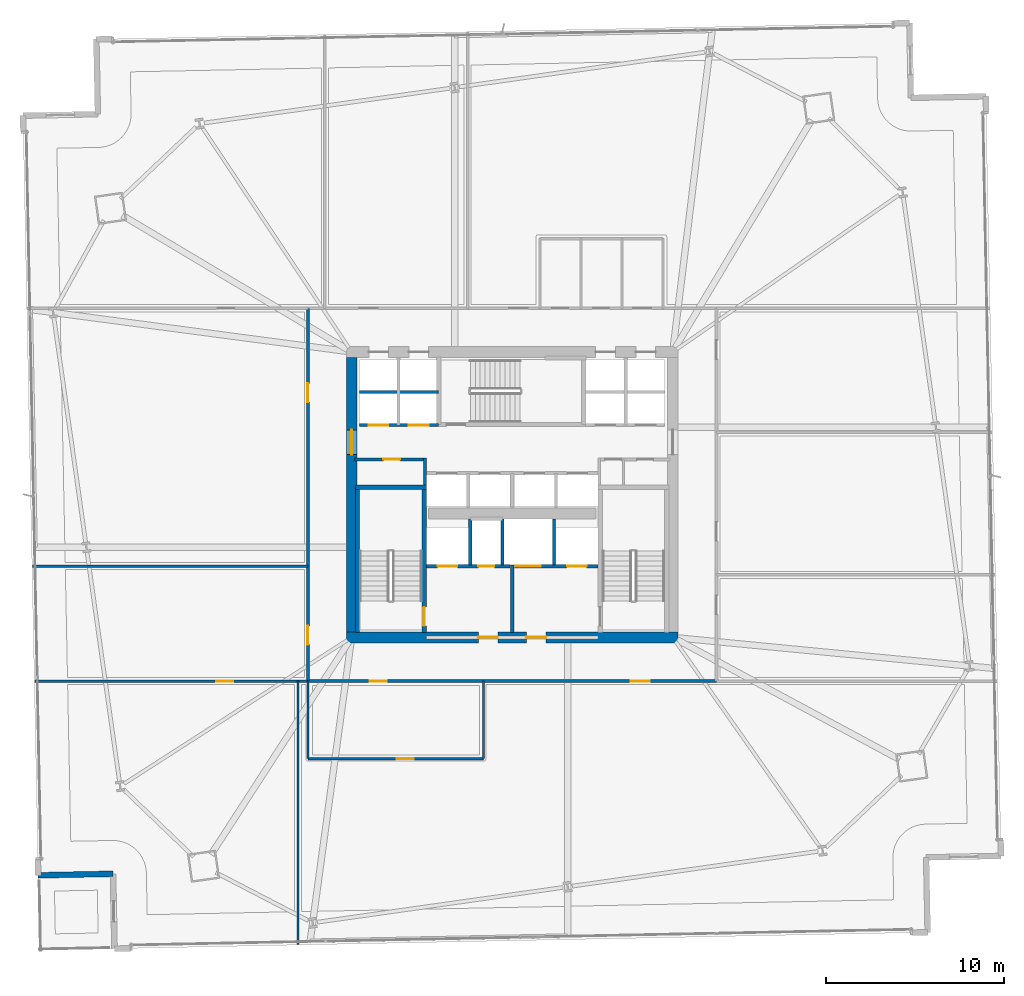
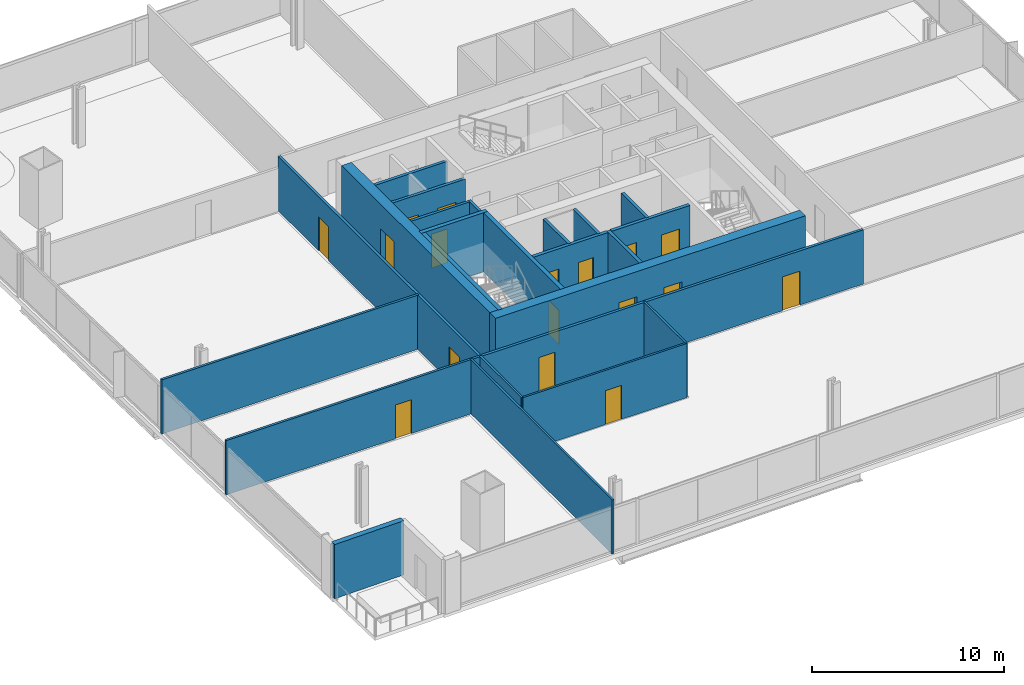
# One storey, part 27 of 35: 24 walls, 17 doors, 17 openings.
"""IFC4 building model written with IfcOpenShell, lengths in metres."""

from ifc_helpers import new_model, si_unit, direction, frame, frame_2d, origin, place, context, subcontext, project, spatial, rectangle, extrude, material, layer, layer_set, type_object, element, fill, save


model = new_model("IFC4")

# Units and contexts
model_context = context("Model", 3, precision=1e-05, world=origin(), true_north=direction((0.0, 1.0)))
body_context = subcontext(model_context, "Body", "Model", "MODEL_VIEW")
ifc_project = project(units=[si_unit("LENGTHUNIT", "METRE"), si_unit("AREAUNIT", "SQUARE_METRE"), si_unit("VOLUMEUNIT", "CUBIC_METRE"), si_unit("PLANEANGLEUNIT", "RADIAN"), si_unit("MASSUNIT", "GRAM", prefix="KILO")], contexts=[model_context])

# Site, building, storey
site_placement = place(None, origin())
site = spatial("IfcSite", under=ifc_project, at=site_placement, CompositionType="ELEMENT")
building_placement = place(site_placement, origin())
building = spatial("IfcBuilding", under=site, at=building_placement, Name="Haldenkirk Collegiate Tower", CompositionType="ELEMENT")
storey_placement = place(building_placement, frame((0.0, 0.0, 32.699951171875)))
storey = spatial("IfcBuildingStorey", under=building, at=storey_placement, Name="L06", CompositionType="ELEMENT", Elevation=32.699951171875)

# Wall, openings, doors
ifc_material_1 = material(Name="Concrete f'c 70 MPa", Category="concrete")
ifc_layer_1 = layer(ifc_material_1, 0.60009765625)
ifc_layer_set_1 = layer_set([ifc_layer_1], Name="Concrete f'c 70 MPa")
wall_type_1 = type_object("IfcWallType", Name="WL-CORE-600", PredefinedType="SHEAR", material=ifc_layer_set_1)
wall_1_placement = place(storey_placement, frame((26.699951171875, 18.0, 0.0), z_axis=(0.0, 0.0, 1.0), x_axis=(1.0, 0.0, 0.0)))
wall_1 = element("IfcWall", 1, at=wall_1_placement, inside=storey, type_object=wall_type_1, Name="L06 central core shear wall S", PredefinedType="SHEAR", context=body_context, shape_type="SweptSolid", body=[
    extrude(rectangle(XDim=18.60009765625, YDim=0.60009765625, at=frame_2d((9.300048828125, 0.0))), origin(), (0.0, 0.0, 1.0), 3.75),
])
opening_1_placement = place(wall_1_placement, frame((7.39990234375, 0.0, 0.0)))
opening_1 = element("IfcOpeningElement", 2, at=opening_1_placement, cuts=wall_1, Name="Opening D-02", PredefinedType="OPENING", context=body_context, shape_type="SweptSolid", body=[
    extrude(rectangle(XDim=1.10009765625, YDim=2.14990234375, at=frame_2d((0.550048828125, 1.074951171875))), frame((0.0, 0.31005859375, 0.0), z_axis=(0.0, -1.0, 0.0), x_axis=(1.0, 0.0, 0.0)), (0.0, 0.0, 1.0), 0.6201171875),
])
opening_2_placement = place(wall_1_placement, frame((10.10009765625, 0.0, 0.0)))
opening_2 = element("IfcOpeningElement", 3, at=opening_2_placement, cuts=wall_1, Name="Opening D-02", PredefinedType="OPENING", context=body_context, shape_type="SweptSolid", body=[
    extrude(rectangle(XDim=1.10009765625, YDim=2.14990234375, at=frame_2d((0.550048828125, 1.074951171875))), frame((0.0, 0.31005859375, 0.0), z_axis=(0.0, -1.0, 0.0), x_axis=(1.0, 0.0, 0.0)), (0.0, 0.0, 1.0), 0.6201171875),
])
ifc_material_2 = material(Name="Galvanized fire-rated hollow steel door", Category="steel")
ifc_layer_2 = layer(ifc_material_2, 0.06005859375)
ifc_layer_set_2 = layer_set([ifc_layer_2], Name="Galvanized fire-rated hollow steel door")
door_type_1 = type_object("IfcDoorType", Name="DR-STAIR-FD90-1100", OperationType="NOTDEFINED", PredefinedType="DOOR", material=ifc_layer_set_2)
door_1_placement = place(opening_1_placement, origin())
door_1 = element("IfcDoor", 4, at=door_1_placement, inside=storey, type_object=door_type_1, Name="L06 Firefighting Lobby 1 door", OperationType="SINGLE_SWING_LEFT", OverallHeight=2.14990234375, OverallWidth=1.10009765625, PredefinedType="DOOR", context=body_context, shape_type="SweptSolid", body=[
    extrude(rectangle(XDim=1.10009765625, YDim=2.14990234375, at=frame_2d((0.550048828125, 1.074951171875))), frame((0.0, 0.02490234375, 0.0), z_axis=(0.0, -1.0, 0.0), x_axis=(1.0, 0.0, 0.0)), (0.0, 0.0, 1.0), 0.050048828125),
])
fill(opening_1, door_1)
door_2_placement = place(opening_2_placement, origin())
door_2 = element("IfcDoor", 5, at=door_2_placement, inside=storey, type_object=door_type_1, Name="L06 Firefighting Lobby 2 door", OperationType="SINGLE_SWING_RIGHT", OverallHeight=2.14990234375, OverallWidth=1.10009765625, PredefinedType="DOOR", context=body_context, shape_type="SweptSolid", body=[
    extrude(rectangle(XDim=1.10009765625, YDim=2.14990234375, at=frame_2d((0.550048828125, 1.074951171875))), frame((0.0, 0.02490234375, 0.0), z_axis=(0.0, -1.0, 0.0), x_axis=(1.0, 0.0, 0.0)), (0.0, 0.0, 1.0), 0.050048828125),
])
fill(opening_2, door_2)

# Wall, opening, door
wall_2_placement = place(storey_placement, frame((27.0, 18.300048828125, 0.0), z_axis=(0.0, 0.0, 1.0), x_axis=(0.0, 1.0, 0.0)))
wall_2 = element("IfcWall", 6, at=wall_2_placement, inside=storey, type_object=wall_type_1, Name="L06 central core shear wall W", PredefinedType="SHEAR", context=body_context, shape_type="SweptSolid", body=[
    extrude(rectangle(XDim=15.39990234375, YDim=0.60009765625, at=frame_2d((7.699951171875, 0.0))), origin(), (0.0, 0.0, 1.0), 3.75),
])
opening_3_placement = place(wall_2_placement, frame((9.93994140625, 0.0, 0.0)))
opening_3 = element("IfcOpeningElement", 7, at=opening_3_placement, cuts=wall_2, Name="Opening D-03", PredefinedType="OPENING", context=body_context, shape_type="SweptSolid", body=[
    extrude(rectangle(XDim=1.39990234375, YDim=2.199951171875, at=frame_2d((0.699951171875, 1.10009765625))), frame((0.0, 0.31005859375, 0.0), z_axis=(0.0, -1.0, 0.0), x_axis=(1.0, 0.0, 0.0)), (0.0, 0.0, 1.0), 0.6201171875),
])
ifc_layer_3 = layer(ifc_material_2, 0.06005859375)
ifc_layer_set_3 = layer_set([ifc_layer_3], Name="Galvanized fire-rated hollow steel door")
door_type_2 = type_object("IfcDoorType", Name="DR-LOBBY-FD90-1400", OperationType="NOTDEFINED", PredefinedType="DOOR", material=ifc_layer_set_3)
door_3_placement = place(opening_3_placement, origin())
door_3 = element("IfcDoor", 8, at=door_3_placement, inside=storey, type_object=door_type_2, Name="L06 west lift lobby portal", OperationType="DOUBLE_DOOR_SINGLE_SWING", OverallHeight=2.199951171875, OverallWidth=1.39990234375, PredefinedType="DOOR", context=body_context, shape_type="SweptSolid", body=[
    extrude(rectangle(XDim=1.39990234375, YDim=2.199951171875, at=frame_2d((0.699951171875, 1.10009765625))), frame((0.0, 0.02490234375, 0.0), z_axis=(0.0, -1.0, 0.0), x_axis=(1.0, 0.0, 0.0)), (0.0, 0.0, 1.0), 0.050048828125),
])
fill(opening_3, door_3)

# Wall
ifc_material_3 = material(Name="Precast concrete f'c 40 MPa", Category="concrete")
ifc_layer_4 = layer(ifc_material_3, 0.320068359375)
ifc_layer_set_4 = layer_set([ifc_layer_4], Name="Precast concrete f'c 40 MPa")
wall_type_2 = type_object("IfcWallType", Name="WL-EXT-TWR-320", PredefinedType="STANDARD", material=ifc_layer_set_4)
wall_3_placement = place(storey_placement, frame((13.6220703125, 4.74658203125, 0.0), z_axis=(0.0, 0.0, 1.0), x_axis=(-0.9997988962, -0.020054105767, 0.0)))
element("IfcWall", 9, at=wall_3_placement, inside=storey, type_object=wall_type_2, Name="L06 bronze precast notch wall 11", PredefinedType="STANDARD", context=body_context, shape_type="SweptSolid", body=[
    extrude(rectangle(XDim=4.199951171875, YDim=0.320068359375, at=frame_2d((2.10009765625, 0.0))), origin(), (0.0, 0.0, 1.0), 3.43994140625),
])

# Wall, opening, door
ifc_material_4 = material(Name="Acoustic fire-rated gypsum partition", Category="concrete")
ifc_layer_5 = layer(ifc_material_4, 0.159912109375)
ifc_layer_set_5 = layer_set([ifc_layer_5], Name="Acoustic fire-rated gypsum partition")
wall_type_3 = type_object("IfcWallType", Name="WL-INT-CORR-160", PredefinedType="PARTITIONING", material=ifc_layer_set_5)
wall_4_placement = place(storey_placement, frame((27.14990234375, 27.97998046875, 0.0), z_axis=(0.0, 0.0, 1.0), x_axis=(1.0, 0.0, 0.0)))
wall_4 = element("IfcWall", 10, at=wall_4_placement, inside=storey, type_object=wall_type_3, Name="L06 interior partition IW-L06-VCSW-N", PredefinedType="PARTITIONING", context=body_context, shape_type="SweptSolid", body=[
    extrude(rectangle(XDim=4.050048828125, YDim=0.159912109375, at=frame_2d((2.02490234375, 0.0))), origin(), (0.0, 0.0, 1.0), 3.43994140625),
])
opening_4_placement = place(wall_4_placement, frame((1.625, 0.0, 0.0)))
opening_4 = element("IfcOpeningElement", 11, at=opening_4_placement, cuts=wall_4, Name="Opening D-10", PredefinedType="OPENING", context=body_context, shape_type="SweptSolid", body=[
    extrude(rectangle(XDim=0.949951171875, YDim=2.14990234375, at=frame_2d((0.47509765625, 1.074951171875))), frame((0.0, 0.08984375, 0.0), z_axis=(0.0, -1.0, 0.0), x_axis=(1.0, 0.0, 0.0)), (0.0, 0.0, 1.0), 0.179931640625),
])
ifc_material_5 = material(Name="Solid-core architectural oak fire door", Category="wood")
ifc_layer_6 = layer(ifc_material_5, 0.06005859375)
ifc_layer_set_6 = layer_set([ifc_layer_6], Name="Solid-core architectural oak fire door")
door_type_3 = type_object("IfcDoorType", Name="DR-INT-FD60-950", OperationType="NOTDEFINED", PredefinedType="DOOR", material=ifc_layer_set_6)
door_4_placement = place(opening_4_placement, origin())
door_4 = element("IfcDoor", 12, at=door_4_placement, inside=storey, type_object=door_type_3, Name="L06 core tea pantry door", OperationType="SINGLE_SWING_LEFT", OverallHeight=2.14990234375, OverallWidth=0.949951171875, PredefinedType="DOOR", context=body_context, shape_type="SweptSolid", body=[
    extrude(rectangle(XDim=0.949951171875, YDim=2.14990234375, at=frame_2d((0.47509765625, 1.074951171875))), frame((0.0, 0.02490234375, 0.0), z_axis=(0.0, -1.0, 0.0), x_axis=(1.0, 0.0, 0.0)), (0.0, 0.0, 1.0), 0.050048828125),
])
fill(opening_4, door_4)

# Wall
wall_5_placement = place(storey_placement, frame((31.1201171875, 26.5400390625, 0.0), z_axis=(0.0, 0.0, 1.0), x_axis=(0.0, 1.0, 0.0)))
element("IfcWall", 13, at=wall_5_placement, inside=storey, type_object=wall_type_3, Name="L06 interior partition IW-L06-VCSW-E", PredefinedType="PARTITIONING", context=body_context, shape_type="SweptSolid", body=[
    extrude(rectangle(XDim=1.510009765625, YDim=0.159912109375, at=frame_2d((0.7548828125, 0.0))), origin(), (0.0, 0.0, 1.0), 3.43994140625),
])

# Wall, openings, doors
wall_6_placement = place(storey_placement, frame((24.5, 15.550048828125, 0.0), z_axis=(0.0, 0.0, 1.0), x_axis=(1.0, 0.0, 0.0)))
wall_6 = element("IfcWall", 14, at=wall_6_placement, inside=storey, type_object=wall_type_3, Name="L06 interior partition IW-L06-CS", PredefinedType="PARTITIONING", context=body_context, shape_type="SweptSolid", body=[
    extrude(rectangle(XDim=23.0, YDim=0.159912109375, at=frame_2d((11.5, 0.0))), origin(), (0.0, 0.0, 1.0), 3.43994140625),
])
opening_5_placement = place(wall_6_placement, frame((3.52490234375, 0.0, 0.0)))
opening_5 = element("IfcOpeningElement", 15, at=opening_5_placement, cuts=wall_6, Name="Opening D-10", PredefinedType="OPENING", context=body_context, shape_type="SweptSolid", body=[
    extrude(rectangle(XDim=0.949951171875, YDim=2.14990234375, at=frame_2d((0.47509765625, 1.074951171875))), frame((0.0, 0.08984375, 0.0), z_axis=(0.0, -1.0, 0.0), x_axis=(1.0, 0.0, 0.0)), (0.0, 0.0, 1.0), 0.179931640625),
])
opening_6_placement = place(wall_6_placement, frame((18.15087890625, 0.0, 0.0)))
opening_6 = element("IfcOpeningElement", 16, at=opening_6_placement, cuts=wall_6, Name="Opening D-09", PredefinedType="OPENING", context=body_context, shape_type="SweptSolid", body=[
    extrude(rectangle(XDim=1.050048828125, YDim=2.14990234375, at=frame_2d((0.52490234375, 1.074951171875))), frame((0.0, 0.08984375, 0.0), z_axis=(0.0, -1.0, 0.0), x_axis=(1.0, 0.0, 0.0)), (0.0, 0.0, 1.0), 0.179931640625),
])
ifc_layer_7 = layer(ifc_material_5, 0.06005859375)
ifc_layer_set_7 = layer_set([ifc_layer_7], Name="Solid-core architectural oak fire door")
door_type_4 = type_object("IfcDoorType", Name="DR-INT-FD60-1050", OperationType="NOTDEFINED", PredefinedType="DOOR", material=ifc_layer_set_7)
door_5_placement = place(opening_6_placement, origin())
door_5 = element("IfcDoor", 17, at=door_5_placement, inside=storey, type_object=door_type_4, Name="L06 Senior Fellow Office 2 door", OperationType="SINGLE_SWING_RIGHT", OverallHeight=2.14990234375, OverallWidth=1.050048828125, PredefinedType="DOOR", context=body_context, shape_type="SweptSolid", body=[
    extrude(rectangle(XDim=1.050048828125, YDim=2.14990234375, at=frame_2d((0.52490234375, 1.074951171875))), frame((0.0, 0.02490234375, 0.0), z_axis=(0.0, -1.0, 0.0), x_axis=(1.0, 0.0, 0.0)), (0.0, 0.0, 1.0), 0.050048828125),
])
fill(opening_6, door_5)
door_6_placement = place(opening_5_placement, origin())
door_6 = element("IfcDoor", 18, at=door_6_placement, inside=storey, type_object=door_type_3, Name="L06 Inner Research Focus Room corridor door", OperationType="SINGLE_SWING_LEFT", OverallHeight=2.14990234375, OverallWidth=0.949951171875, PredefinedType="DOOR", context=body_context, shape_type="SweptSolid", body=[
    extrude(rectangle(XDim=0.949951171875, YDim=2.14990234375, at=frame_2d((0.47509765625, 1.074951171875))), frame((0.0, 0.02490234375, 0.0), z_axis=(0.0, -1.0, 0.0), x_axis=(1.0, 0.0, 0.0)), (0.0, 0.0, 1.0), 0.050048828125),
])
fill(opening_5, door_6)

wall_7_placement = place(storey_placement, frame((24.550048828125, 15.550048828125, 0.0), z_axis=(0.0, 0.0, 1.0), x_axis=(0.0, 1.0, 0.0)))
wall_7 = element("IfcWall", 19, at=wall_7_placement, inside=storey, type_object=wall_type_3, Name="L06 interior partition IW-L06-CW", PredefinedType="PARTITIONING", context=body_context, shape_type="SweptSolid", body=[
    extrude(rectangle(XDim=20.89990234375, YDim=0.159912109375, at=frame_2d((10.449951171875, 0.0))), origin(), (0.0, 0.0, 1.0), 3.43994140625),
])
opening_7_placement = place(wall_7_placement, frame((2.052001953125, 0.0, 0.0)))
opening_7 = element("IfcOpeningElement", 20, at=opening_7_placement, cuts=wall_7, Name="Opening D-09", PredefinedType="OPENING", context=body_context, shape_type="SweptSolid", body=[
    extrude(rectangle(XDim=1.050048828125, YDim=2.14990234375, at=frame_2d((0.52490234375, 1.074951171875))), frame((0.0, 0.08984375, 0.0), z_axis=(0.0, -1.0, 0.0), x_axis=(1.0, 0.0, 0.0)), (0.0, 0.0, 1.0), 0.179931640625),
])
opening_8_placement = place(wall_7_placement, frame((15.64501953125, 0.0, 0.0)))
opening_8 = element("IfcOpeningElement", 21, at=opening_8_placement, cuts=wall_7, Name="Opening D-09", PredefinedType="OPENING", context=body_context, shape_type="SweptSolid", body=[
    extrude(rectangle(XDim=1.050048828125, YDim=2.14990234375, at=frame_2d((0.52490234375, 1.074951171875))), frame((0.0, 0.08984375, 0.0), z_axis=(0.0, -1.0, 0.0), x_axis=(1.0, 0.0, 0.0)), (0.0, 0.0, 1.0), 0.179931640625),
])
door_7_placement = place(opening_7_placement, origin())
door_7 = element("IfcDoor", 22, at=door_7_placement, inside=storey, type_object=door_type_4, Name="L06 Curator Office 6 door", OperationType="SINGLE_SWING_RIGHT", OverallHeight=2.14990234375, OverallWidth=1.050048828125, PredefinedType="DOOR", context=body_context, shape_type="SweptSolid", body=[
    extrude(rectangle(XDim=1.050048828125, YDim=2.14990234375, at=frame_2d((0.52490234375, 1.074951171875))), frame((0.0, 0.02490234375, 0.0), z_axis=(0.0, -1.0, 0.0), x_axis=(1.0, 0.0, 0.0)), (0.0, 0.0, 1.0), 0.050048828125),
])
fill(opening_7, door_7)
door_8_placement = place(opening_8_placement, origin())
door_8 = element("IfcDoor", 23, at=door_8_placement, inside=storey, type_object=door_type_4, Name="L06 Faculty Office 7 door", OperationType="SINGLE_SWING_LEFT", OverallHeight=2.14990234375, OverallWidth=1.050048828125, PredefinedType="DOOR", context=body_context, shape_type="SweptSolid", body=[
    extrude(rectangle(XDim=1.050048828125, YDim=2.14990234375, at=frame_2d((0.52490234375, 1.074951171875))), frame((0.0, 0.02490234375, 0.0), z_axis=(0.0, -1.0, 0.0), x_axis=(1.0, 0.0, 0.0)), (0.0, 0.0, 1.0), 0.050048828125),
])
fill(opening_8, door_8)

# Wall, opening, door
ifc_layer_8 = layer(ifc_material_4, 0.139892578125)
ifc_layer_set_8 = layer_set([ifc_layer_8], Name="Acoustic fire-rated gypsum partition")
wall_type_4 = type_object("IfcWallType", Name="WL-INT-DIV-140", PredefinedType="PARTITIONING", material=ifc_layer_set_8)
wall_8_placement = place(storey_placement, frame((9.244384765625, 15.550048828125, 0.0), z_axis=(0.0, 0.0, 1.0), x_axis=(1.0, 0.0, 0.0)))
wall_8 = element("IfcWall", 24, at=wall_8_placement, inside=storey, type_object=wall_type_4, Name="L06 interior partition IW-L06-BWS", PredefinedType="PARTITIONING", context=body_context, shape_type="SweptSolid", body=[
    extrude(rectangle(XDim=15.3056640625, YDim=0.139892578125, at=frame_2d((7.65283203125, 0.0))), origin(), (0.0, 0.0, 1.0), 3.43994140625),
])
opening_9_placement = place(wall_8_placement, frame((10.1748046875, 0.0, 0.0)))
opening_9 = element("IfcOpeningElement", 25, at=opening_9_placement, cuts=wall_8, Name="Opening D-12", PredefinedType="OPENING", context=body_context, shape_type="SweptSolid", body=[
    extrude(rectangle(XDim=0.949951171875, YDim=2.14990234375, at=frame_2d((0.47509765625, 1.074951171875))), frame((0.0, 0.079833984375, 0.0), z_axis=(0.0, -1.0, 0.0), x_axis=(1.0, 0.0, 0.0)), (0.0, 0.0, 1.0), 0.159912109375),
])
ifc_layer_9 = layer(ifc_material_5, 0.06005859375)
ifc_layer_set_9 = layer_set([ifc_layer_9], Name="Solid-core architectural oak fire door")
door_type_5 = type_object("IfcDoorType", Name="DR-INT-STD-950", OperationType="NOTDEFINED", PredefinedType="DOOR", material=ifc_layer_set_9)
door_9_placement = place(opening_9_placement, origin())
door_9 = element("IfcDoor", 26, at=door_9_placement, inside=storey, type_object=door_type_5, Name="L06 Faculty Office 1 door", OperationType="SINGLE_SWING_LEFT", OverallHeight=2.14990234375, OverallWidth=0.949951171875, PredefinedType="DOOR", context=body_context, shape_type="SweptSolid", body=[
    extrude(rectangle(XDim=0.949951171875, YDim=2.14990234375, at=frame_2d((0.47509765625, 1.074951171875))), frame((0.0, 0.02490234375, 0.0), z_axis=(0.0, -1.0, 0.0), x_axis=(1.0, 0.0, 0.0)), (0.0, 0.0, 1.0), 0.050048828125),
])
fill(opening_9, door_9)

# Walls
wall_9_placement = place(storey_placement, frame((9.114990234375, 22.0, 0.0), z_axis=(0.0, 0.0, 1.0), x_axis=(1.0, 0.0, 0.0)))
element("IfcWall", 27, at=wall_9_placement, inside=storey, type_object=wall_type_4, Name="L06 interior partition IW-L06-RW1", PredefinedType="PARTITIONING", context=body_context, shape_type="SweptSolid", body=[
    extrude(rectangle(XDim=15.43505859375, YDim=0.139892578125, at=frame_2d((7.717529296875, 0.0))), origin(), (0.0, 0.0, 1.0), 3.43994140625),
])
ifc_material_6 = material(Name="Fire-rated gypsum shaftboard assembly", Category="concrete")
ifc_layer_10 = layer(ifc_material_6, 0.179931640625)
ifc_layer_set_10 = layer_set([ifc_layer_10], Name="Fire-rated gypsum shaftboard assembly")
wall_type_5 = type_object("IfcWallType", Name="WL-INT-SHAFT-180", PredefinedType="PARTITIONING", material=ifc_layer_set_10)
for number, where, z_axis, x_axis, name in (
    (28, (33.64990234375, 22.050048828125, 0.0), (0.0, 0.0, 1.0), (0.0, 1.0, 0.0), "L06 interior partition IW-L06-FL1E"),
    (29, (35.449951171875, 22.050048828125, 0.0), (0.0, 0.0, 1.0), (0.0, 1.0, 0.0), "L06 interior partition IW-L06-GL1W"),
    (30, (38.35009765625, 22.050048828125, 0.0), (0.0, 0.0, 1.0), (0.0, 1.0, 0.0), "L06 interior partition IW-L06-GL1E"),
):
    element("IfcWall", number, at=place(storey_placement, frame(where, z_axis=z_axis, x_axis=x_axis)), inside=storey, type_object=wall_type_5, Name=name, PredefinedType="PARTITIONING", context=body_context, shape_type="SweptSolid", body=[
        extrude(rectangle(XDim=2.599853515625, YDim=0.179931640625, at=frame_2d((1.2998046875, 0.0))), origin(), (0.0, 0.0, 1.0), 3.43994140625),
    ])

# Wall, openings, doors
wall_10_placement = place(storey_placement, frame((27.449951171875, 29.89990234375, 0.0), z_axis=(0.0, 0.0, 1.0), x_axis=(1.0, 0.0, 0.0)))
wall_10 = element("IfcWall", 31, at=wall_10_placement, inside=storey, type_object=wall_type_5, Name="L06 interior partition IW-L06-PLS", PredefinedType="PARTITIONING", context=body_context, shape_type="SweptSolid", body=[
    extrude(rectangle(XDim=4.429931640625, YDim=0.179931640625, at=frame_2d((2.21484375, 0.0))), origin(), (0.0, 0.0, 1.0), 3.43994140625),
])
opening_10_placement = place(wall_10_placement, frame((0.514892578125, 0.0, 0.0)))
opening_10 = element("IfcOpeningElement", 32, at=opening_10_placement, cuts=wall_10, Name="Opening LD-11", PredefinedType="OPENING", context=body_context, shape_type="SweptSolid", body=[
    extrude(rectangle(XDim=1.10009765625, YDim=2.14990234375, at=frame_2d((0.550048828125, 1.074951171875))), frame((0.0, 0.099853515625, 0.0), z_axis=(0.0, -1.0, 0.0), x_axis=(1.0, 0.0, 0.0)), (0.0, 0.0, 1.0), 0.199951171875),
])
opening_11_placement = place(wall_10_placement, frame((2.764892578125, 0.0, 0.0)))
opening_11 = element("IfcOpeningElement", 33, at=opening_11_placement, cuts=wall_10, Name="Opening LD-11", PredefinedType="OPENING", context=body_context, shape_type="SweptSolid", body=[
    extrude(rectangle(XDim=1.10009765625, YDim=2.14990234375, at=frame_2d((0.550048828125, 1.074951171875))), frame((0.0, 0.099853515625, 0.0), z_axis=(0.0, -1.0, 0.0), x_axis=(1.0, 0.0, 0.0)), (0.0, 0.0, 1.0), 0.199951171875),
])
ifc_material_7 = material(Name="Brushed architectural stainless steel", Category="steel")
ifc_layer_11 = layer(ifc_material_7, 0.06005859375)
ifc_layer_set_11 = layer_set([ifc_layer_11], Name="Brushed architectural stainless steel")
door_type_6 = type_object("IfcDoorType", Name="LD-PASS-1100", OperationType="NOTDEFINED", PredefinedType="DOOR", material=ifc_layer_set_11)
door_10_placement = place(opening_10_placement, origin())
door_10 = element("IfcDoor", 34, at=door_10_placement, inside=storey, type_object=door_type_6, Name="L06 Elevator PL1 sliding landing door", OperationType="SLIDING_TO_LEFT", OverallHeight=2.14990234375, OverallWidth=1.10009765625, PredefinedType="DOOR", context=body_context, shape_type="SweptSolid", body=[
    extrude(rectangle(XDim=1.10009765625, YDim=2.14990234375, at=frame_2d((0.550048828125, 1.074951171875))), frame((0.0, 0.02490234375, 0.0), z_axis=(0.0, -1.0, 0.0), x_axis=(1.0, 0.0, 0.0)), (0.0, 0.0, 1.0), 0.050048828125),
])
fill(opening_10, door_10)
door_11_placement = place(opening_11_placement, origin())
door_11 = element("IfcDoor", 35, at=door_11_placement, inside=storey, type_object=door_type_6, Name="L06 Elevator PL2 sliding landing door", OperationType="SLIDING_TO_LEFT", OverallHeight=2.14990234375, OverallWidth=1.10009765625, PredefinedType="DOOR", context=body_context, shape_type="SweptSolid", body=[
    extrude(rectangle(XDim=1.10009765625, YDim=2.14990234375, at=frame_2d((0.550048828125, 1.074951171875))), frame((0.0, 0.02490234375, 0.0), z_axis=(0.0, -1.0, 0.0), x_axis=(1.0, 0.0, 0.0)), (0.0, 0.0, 1.0), 0.050048828125),
])
fill(opening_11, door_11)

# Walls
wall_11_placement = place(storey_placement, frame((27.449951171875, 31.75, 0.0), z_axis=(0.0, 0.0, 1.0), x_axis=(1.0, 0.0, 0.0)))
element("IfcWall", 36, at=wall_11_placement, inside=storey, type_object=wall_type_5, Name="L06 interior partition IW-L06-PLM", PredefinedType="PARTITIONING", context=body_context, shape_type="SweptSolid", body=[
    extrude(rectangle(XDim=4.429931640625, YDim=0.179931640625, at=frame_2d((2.21484375, 0.0))), origin(), (0.0, 0.0, 1.0), 3.43994140625),
])
ifc_layer_12 = layer(ifc_material_6, 0.199951171875)
ifc_layer_set_12 = layer_set([ifc_layer_12], Name="Fire-rated gypsum shaftboard assembly")
wall_type_6 = type_object("IfcWallType", Name="WL-INT-SHAFT-200", PredefinedType="PARTITIONING", material=ifc_layer_set_12)
wall_12_placement = place(storey_placement, frame((36.0, 18.280029296875, 0.0), z_axis=(0.0, 0.0, 1.0), x_axis=(0.0, 1.0, 0.0)))
element("IfcWall", 37, at=wall_12_placement, inside=storey, type_object=wall_type_6, Name="L06 interior partition IW-L06-FFLM", PredefinedType="PARTITIONING", context=body_context, shape_type="SweptSolid", body=[
    extrude(rectangle(XDim=3.77001953125, YDim=0.199951171875, at=frame_2d((1.885009765625, 0.0))), origin(), (0.0, 0.0, 1.0), 3.43994140625),
])

# Wall, openings, doors
wall_13_placement = place(storey_placement, frame((31.18994140625, 22.0, 0.0), z_axis=(0.0, 0.0, 1.0), x_axis=(1.0, 0.0, 0.0)))
wall_13 = element("IfcWall", 38, at=wall_13_placement, inside=storey, type_object=wall_type_6, Name="L06 interior partition IW-L06-FFL1N", PredefinedType="PARTITIONING", context=body_context, shape_type="SweptSolid", body=[
    extrude(rectangle(XDim=4.68994140625, YDim=0.199951171875, at=frame_2d((2.344970703125, 0.0))), origin(), (0.0, 0.0, 1.0), 3.43994140625),
])
opening_12_placement = place(wall_13_placement, frame((2.909912109375, 0.0, 0.0)))
opening_12 = element("IfcOpeningElement", 39, at=opening_12_placement, cuts=wall_13, Name="Opening D-06", PredefinedType="OPENING", context=body_context, shape_type="SweptSolid", body=[
    extrude(rectangle(XDim=0.89990234375, YDim=2.14990234375, at=frame_2d((0.449951171875, 1.074951171875))), frame((0.0, 0.10986328125, 0.0), z_axis=(0.0, -1.0, 0.0), x_axis=(1.0, 0.0, 0.0)), (0.0, 0.0, 1.0), 0.219970703125),
])
opening_13_placement = place(wall_13_placement, frame((0.635009765625, 0.0, 0.0)))
opening_13 = element("IfcOpeningElement", 40, at=opening_13_placement, cuts=wall_13, Name="Opening LD-12", PredefinedType="OPENING", context=body_context, shape_type="SweptSolid", body=[
    extrude(rectangle(XDim=1.10009765625, YDim=2.14990234375, at=frame_2d((0.550048828125, 1.074951171875))), frame((0.0, 0.10986328125, 0.0), z_axis=(0.0, -1.0, 0.0), x_axis=(1.0, 0.0, 0.0)), (0.0, 0.0, 1.0), 0.219970703125),
])
ifc_layer_13 = layer(ifc_material_2, 0.06005859375)
ifc_layer_set_13 = layer_set([ifc_layer_13], Name="Galvanized fire-rated hollow steel door")
door_type_7 = type_object("IfcDoorType", Name="DR-INT-FD90-900", OperationType="NOTDEFINED", PredefinedType="DOOR", material=ifc_layer_set_13)
door_12_placement = place(opening_12_placement, origin())
door_12 = element("IfcDoor", 41, at=door_12_placement, inside=storey, type_object=door_type_7, Name="L06 electrical riser door", OperationType="SINGLE_SWING_LEFT", OverallHeight=2.14990234375, OverallWidth=0.89990234375, PredefinedType="DOOR", context=body_context, shape_type="SweptSolid", body=[
    extrude(rectangle(XDim=0.89990234375, YDim=2.14990234375, at=frame_2d((0.449951171875, 1.074951171875))), frame((0.0, 0.02490234375, 0.0), z_axis=(0.0, -1.0, 0.0), x_axis=(1.0, 0.0, 0.0)), (0.0, 0.0, 1.0), 0.050048828125),
])
fill(opening_12, door_12)
ifc_layer_14 = layer(ifc_material_7, 0.06005859375)
ifc_layer_set_14 = layer_set([ifc_layer_14], Name="Brushed architectural stainless steel")
door_type_8 = type_object("IfcDoorType", Name="LD-FIRE-1100", OperationType="NOTDEFINED", PredefinedType="DOOR", material=ifc_layer_set_14)
door_13_placement = place(opening_13_placement, origin())
door_13 = element("IfcDoor", 42, at=door_13_placement, inside=storey, type_object=door_type_8, Name="L06 Elevator FL1 sliding landing door", OperationType="SLIDING_TO_LEFT", OverallHeight=2.14990234375, OverallWidth=1.10009765625, PredefinedType="DOOR", context=body_context, shape_type="SweptSolid", body=[
    extrude(rectangle(XDim=1.10009765625, YDim=2.14990234375, at=frame_2d((0.550048828125, 1.074951171875))), frame((0.0, 0.02490234375, 0.0), z_axis=(0.0, -1.0, 0.0), x_axis=(1.0, 0.0, 0.0)), (0.0, 0.0, 1.0), 0.050048828125),
])
fill(opening_13, door_13)

wall_14_placement = place(storey_placement, frame((36.1201171875, 22.0, 0.0), z_axis=(0.0, 0.0, 1.0), x_axis=(1.0, 0.0, 0.0)))
wall_14 = element("IfcWall", 43, at=wall_14_placement, inside=storey, type_object=wall_type_6, Name="L06 interior partition IW-L06-FFL2N", PredefinedType="PARTITIONING", context=body_context, shape_type="SweptSolid", body=[
    extrude(rectangle(XDim=4.68994140625, YDim=0.199951171875, at=frame_2d((2.344970703125, 0.0))), origin(), (0.0, 0.0, 1.0), 3.43994140625),
])
opening_14_placement = place(wall_14_placement, frame((2.955078125, 0.0, 0.0)))
opening_14 = element("IfcOpeningElement", 44, at=opening_14_placement, cuts=wall_14, Name="Opening LD-12", PredefinedType="OPENING", context=body_context, shape_type="SweptSolid", body=[
    extrude(rectangle(XDim=1.10009765625, YDim=2.14990234375, at=frame_2d((0.550048828125, 1.074951171875))), frame((0.0, 0.10986328125, 0.0), z_axis=(0.0, -1.0, 0.0), x_axis=(1.0, 0.0, 0.0)), (0.0, 0.0, 1.0), 0.219970703125),
])
opening_15_placement = place(wall_14_placement, frame((0.080078125, 0.0, 0.0)))
opening_15 = element("IfcOpeningElement", 45, at=opening_15_placement, cuts=wall_14, Name="Opening LD-13", PredefinedType="OPENING", context=body_context, shape_type="SweptSolid", body=[
    extrude(rectangle(XDim=1.39990234375, YDim=2.199951171875, at=frame_2d((0.699951171875, 1.10009765625))), frame((0.0, 0.10986328125, 0.0), z_axis=(0.0, -1.0, 0.0), x_axis=(1.0, 0.0, 0.0)), (0.0, 0.0, 1.0), 0.219970703125),
])
door_14_placement = place(opening_14_placement, origin())
door_14 = element("IfcDoor", 46, at=door_14_placement, inside=storey, type_object=door_type_8, Name="L06 Elevator FL2 sliding landing door", OperationType="SLIDING_TO_LEFT", OverallHeight=2.14990234375, OverallWidth=1.10009765625, PredefinedType="DOOR", context=body_context, shape_type="SweptSolid", body=[
    extrude(rectangle(XDim=1.10009765625, YDim=2.14990234375, at=frame_2d((0.550048828125, 1.074951171875))), frame((0.0, 0.02490234375, 0.0), z_axis=(0.0, -1.0, 0.0), x_axis=(1.0, 0.0, 0.0)), (0.0, 0.0, 1.0), 0.050048828125),
])
fill(opening_14, door_14)
ifc_layer_15 = layer(ifc_material_7, 0.06005859375)
ifc_layer_set_15 = layer_set([ifc_layer_15], Name="Brushed architectural stainless steel")
door_type_9 = type_object("IfcDoorType", Name="LD-GOODS-1400", OperationType="NOTDEFINED", PredefinedType="DOOR", material=ifc_layer_set_15)
door_15_placement = place(opening_15_placement, origin())
door_15 = element("IfcDoor", 47, at=door_15_placement, inside=storey, type_object=door_type_9, Name="L06 Elevator GL1 sliding landing door", OperationType="SLIDING_TO_LEFT", OverallHeight=2.199951171875, OverallWidth=1.39990234375, PredefinedType="DOOR", context=body_context, shape_type="SweptSolid", body=[
    extrude(rectangle(XDim=1.39990234375, YDim=2.199951171875, at=frame_2d((0.699951171875, 1.10009765625))), frame((0.0, 0.02490234375, 0.0), z_axis=(0.0, -1.0, 0.0), x_axis=(1.0, 0.0, 0.0)), (0.0, 0.0, 1.0), 0.050048828125),
])
fill(opening_15, door_15)

# Walls
ifc_layer_16 = layer(ifc_material_4, 0.1201171875)
ifc_layer_set_16 = layer_set([ifc_layer_16], Name="Acoustic fire-rated gypsum partition")
wall_type_7 = type_object("IfcWallType", Name="WL-INT-WET-120", PredefinedType="PARTITIONING", material=ifc_layer_set_16)
wall_15_placement = place(storey_placement, frame((24.0, 0.7939453125, 0.0), z_axis=(0.0, 0.0, 1.0), x_axis=(0.0, 1.0, 0.0)))
element("IfcWall", 48, at=wall_15_placement, inside=storey, type_object=wall_type_7, Name="L06 interior partition IW-L06-RS1", PredefinedType="PARTITIONING", context=body_context, shape_type="SweptSolid", body=[
    extrude(rectangle(XDim=14.756103515625, YDim=0.1201171875, at=frame_2d((7.3779296875, 0.0))), origin(), (0.0, 0.0, 1.0), 3.43994140625),
])
wall_16_placement = place(storey_placement, frame((24.550048828125, 11.199951171875, 0.0), z_axis=(0.0, 0.0, 1.0), x_axis=(0.0, 1.0, 0.0)))
element("IfcWall", 49, at=wall_16_placement, inside=storey, type_object=wall_type_7, Name="L06 interior partition IW-L06-SUBSW", PredefinedType="PARTITIONING", context=body_context, shape_type="SweptSolid", body=[
    extrude(rectangle(XDim=4.35009765625, YDim=0.1201171875, at=frame_2d((2.175048828125, 0.0))), origin(), (0.0, 0.0, 1.0), 3.43994140625),
])

# Wall, opening, door
wall_17_placement = place(storey_placement, frame((24.550048828125, 11.199951171875, 0.0), z_axis=(0.0, 0.0, 1.0), x_axis=(1.0, 0.0, 0.0)))
wall_17 = element("IfcWall", 50, at=wall_17_placement, inside=storey, type_object=wall_type_7, Name="L06 interior partition IW-L06-SUBS", PredefinedType="PARTITIONING", context=body_context, shape_type="SweptSolid", body=[
    extrude(rectangle(XDim=9.849853515625, YDim=0.1201171875, at=frame_2d((4.9248046875, 0.0))), origin(), (0.0, 0.0, 1.0), 3.43994140625),
])
opening_16_placement = place(wall_17_placement, frame((4.97509765625, 0.0, 0.0)))
opening_16 = element("IfcOpeningElement", 51, at=opening_16_placement, cuts=wall_17, Name="Opening D-12", PredefinedType="OPENING", context=body_context, shape_type="SweptSolid", body=[
    extrude(rectangle(XDim=0.949951171875, YDim=2.14990234375, at=frame_2d((0.47509765625, 1.074951171875))), frame((0.0, 0.070068359375, 0.0), z_axis=(0.0, -1.0, 0.0), x_axis=(1.0, 0.0, 0.0)), (0.0, 0.0, 1.0), 0.14013671875),
])
door_16_placement = place(opening_16_placement, origin())
door_16 = element("IfcDoor", 52, at=door_16_placement, inside=storey, type_object=door_type_5, Name="L06 Inner Research Focus Room suite door", OperationType="SINGLE_SWING_RIGHT", OverallHeight=2.14990234375, OverallWidth=0.949951171875, PredefinedType="DOOR", context=body_context, shape_type="SweptSolid", body=[
    extrude(rectangle(XDim=0.949951171875, YDim=2.14990234375, at=frame_2d((0.47509765625, 1.074951171875))), frame((0.0, 0.02490234375, 0.0), z_axis=(0.0, -1.0, 0.0), x_axis=(1.0, 0.0, 0.0)), (0.0, 0.0, 1.0), 0.050048828125),
])
fill(opening_16, door_16)

# Wall
wall_18_placement = place(storey_placement, frame((34.39990234375, 11.199951171875, 0.0), z_axis=(0.0, 0.0, 1.0), x_axis=(0.0, 1.0, 0.0)))
element("IfcWall", 53, at=wall_18_placement, inside=storey, type_object=wall_type_7, Name="L06 interior partition IW-L06-SUBSE", PredefinedType="PARTITIONING", context=body_context, shape_type="SweptSolid", body=[
    extrude(rectangle(XDim=4.35009765625, YDim=0.1201171875, at=frame_2d((2.175048828125, 0.0))), origin(), (0.0, 0.0, 1.0), 3.43994140625),
])

# Wall, opening, door
ifc_material_8 = material(Name="Concrete f'c 55 MPa", Category="concrete")
ifc_layer_17 = layer(ifc_material_8, 0.239990234375)
ifc_layer_set_17 = layer_set([ifc_layer_17], Name="Concrete f'c 55 MPa")
wall_type_8 = type_object("IfcWallType", Name="WL-SHAFT-240", PredefinedType="SHEAR", material=ifc_layer_set_17)
wall_19_placement = place(storey_placement, frame((31.070068359375, 18.280029296875, 0.0), z_axis=(0.0, 0.0, 1.0), x_axis=(0.0, 1.0, 0.0)))
wall_19 = element("IfcWall", 54, at=wall_19_placement, inside=storey, type_object=wall_type_8, Name="L06 stair shaft shear wall SW-L06-ST1E", PredefinedType="SHEAR", context=body_context, shape_type="SweptSolid", body=[
    extrude(rectangle(XDim=8.260009765625, YDim=0.239990234375, at=frame_2d((4.1298828125, 0.0))), origin(), (0.0, 0.0, 1.0), 3.75),
])
opening_17_placement = place(wall_19_placement, frame((0.364990234375, 0.0, 0.0)))
opening_17 = element("IfcOpeningElement", 55, at=opening_17_placement, cuts=wall_19, Name="Opening D-01", PredefinedType="OPENING", context=body_context, shape_type="SweptSolid", body=[
    extrude(rectangle(XDim=1.050048828125, YDim=2.14990234375, at=frame_2d((0.52490234375, 1.074951171875))), frame((0.0, 0.1298828125, 0.0), z_axis=(0.0, -1.0, 0.0), x_axis=(1.0, 0.0, 0.0)), (0.0, 0.0, 1.0), 0.260009765625),
])
ifc_layer_18 = layer(ifc_material_2, 0.06005859375)
ifc_layer_set_18 = layer_set([ifc_layer_18], Name="Galvanized fire-rated hollow steel door")
door_type_10 = type_object("IfcDoorType", Name="DR-STAIR-FD90-1050", OperationType="NOTDEFINED", PredefinedType="DOOR", material=ifc_layer_set_18)
door_17_placement = place(opening_17_placement, origin())
door_17 = element("IfcDoor", 56, at=door_17_placement, inside=storey, type_object=door_type_10, Name="L06 Stair 1 door", OperationType="SINGLE_SWING_LEFT", OverallHeight=2.14990234375, OverallWidth=1.050048828125, PredefinedType="DOOR", context=body_context, shape_type="SweptSolid", body=[
    extrude(rectangle(XDim=1.050048828125, YDim=2.14990234375, at=frame_2d((0.52490234375, 1.074951171875))), frame((0.0, 0.02490234375, 0.0), z_axis=(0.0, -1.0, 0.0), x_axis=(1.0, 0.0, 0.0)), (0.0, 0.0, 1.0), 0.050048828125),
])
fill(opening_17, door_17)

# Walls
wall_20_placement = place(storey_placement, frame((27.2099609375, 26.419921875, 0.0), z_axis=(0.0, 0.0, 1.0), x_axis=(1.0, 0.0, 0.0)))
element("IfcWall", 57, at=wall_20_placement, inside=storey, type_object=wall_type_8, Name="L06 stair shaft shear wall SW-L06-ST1N", PredefinedType="SHEAR", context=body_context, shape_type="SweptSolid", body=[
    extrude(rectangle(XDim=3.97998046875, YDim=0.239990234375, at=frame_2d((1.989990234375, 0.0))), origin(), (0.0, 0.0, 1.0), 3.75),
])
wall_21_placement = place(storey_placement, frame((27.330078125, 18.280029296875, 0.0), z_axis=(0.0, 0.0, 1.0), x_axis=(0.0, 1.0, 0.0)))
element("IfcWall", 58, at=wall_21_placement, inside=storey, type_object=wall_type_8, Name="L06 stair shaft shear wall SW-L06-ST1W", PredefinedType="SHEAR", context=body_context, shape_type="SweptSolid", body=[
    extrude(rectangle(XDim=8.260009765625, YDim=0.239990234375, at=frame_2d((4.1298828125, 0.0))), origin(), (0.0, 0.0, 1.0), 3.75),
])

save(model, "model.ifc")
